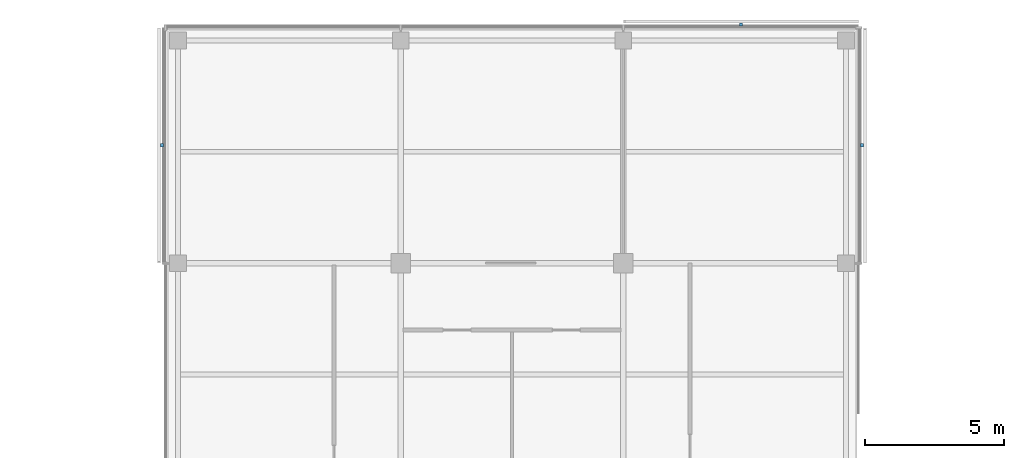
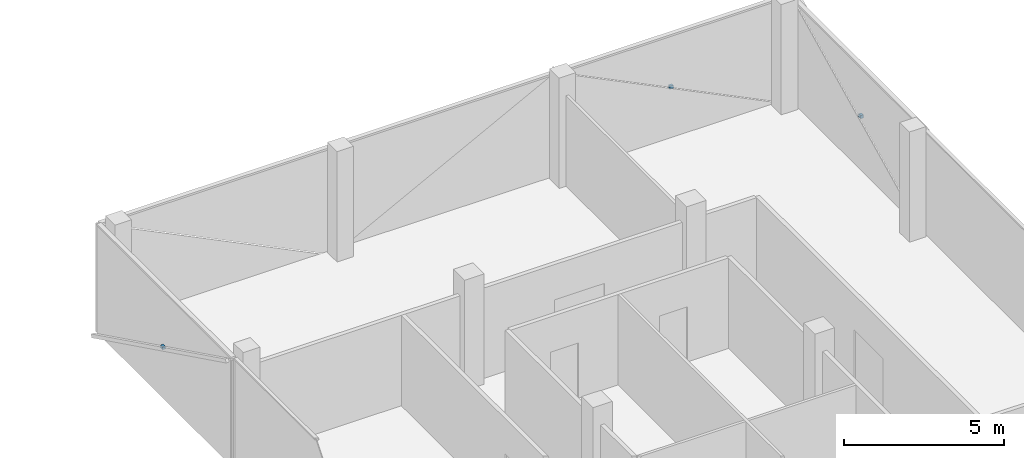
# One storey, part 14 of 15: 3 discrete accessories.
"""IFC4 building model written with IfcOpenShell, lengths in metres."""

from ifc_helpers import new_model, si_unit, direction, frame, origin, origin_2d, place, context, subcontext, project, spatial, rectangle, extrude, material, type_object, element, save


model = new_model("IFC4")

# Units and contexts
model_context = context("Model", 3, precision=1e-05, world=origin(), true_north=direction((0.0, 1.0)))
body_context = subcontext(model_context, "Body", "Model", "MODEL_VIEW")
ifc_project = project(units=[si_unit("LENGTHUNIT", "METRE"), si_unit("AREAUNIT", "SQUARE_METRE"), si_unit("VOLUMEUNIT", "CUBIC_METRE"), si_unit("PLANEANGLEUNIT", "RADIAN"), si_unit("MASSUNIT", "GRAM", prefix="KILO")], contexts=[model_context])

# Site, building, storey
site_placement = place(None, origin())
site = spatial("IfcSite", under=ifc_project, at=site_placement, CompositionType="ELEMENT")
building_placement = place(site_placement, origin())
building = spatial("IfcBuilding", under=site, at=building_placement, Name="Crosswind Convention Tower", CompositionType="ELEMENT")
storey_placement = place(building_placement, frame((0.0, 0.0, 257.699951171875)))
storey = spatial("IfcBuildingStorey", under=building, at=storey_placement, Name="L55", CompositionType="ELEMENT", Elevation=257.699951171875)

# Discrete accessories
ifc_material = material(Name="Stainless steel", Category="steel")
discrete_accessory_type = type_object("IfcDiscreteAccessoryType", Name="BAGUETTE BRACKET BK3", PredefinedType="BRACKET", material=ifc_material)
for number, where, z_axis, x_axis, name in (
    (1, (137.575927734375, 124.22998046875, 1.705078125), (0.0, 0.0, 1.0), (0.0, 1.0, 0.0), "BK3 baguette bracket"),
    (2, (133.22998046875, 128.575927734375, 1.705078125), (0.0, 0.0, 1.0), (-1.0, 0.0, 0.0), "BK3 baguette bracket"),
    (3, (112.424072265625, 124.22998046875, 1.705078125), (0.0, 0.0, 1.0), (0.0, -1.0, 0.0), "BK3 baguette bracket"),
):
    element("IfcDiscreteAccessory", number, at=place(storey_placement, frame(where, z_axis=z_axis, x_axis=x_axis)), inside=storey, type_object=discrete_accessory_type, Name=name, PredefinedType="BRACKET", context=body_context, shape_type="SweptSolid", body=[
        extrude(rectangle(XDim=0.1201171875, YDim=0.10009765625, at=origin_2d()), origin(), (0.0, 0.0, 1.0), 0.1201171875),
    ])

save(model, "model.ifc")
